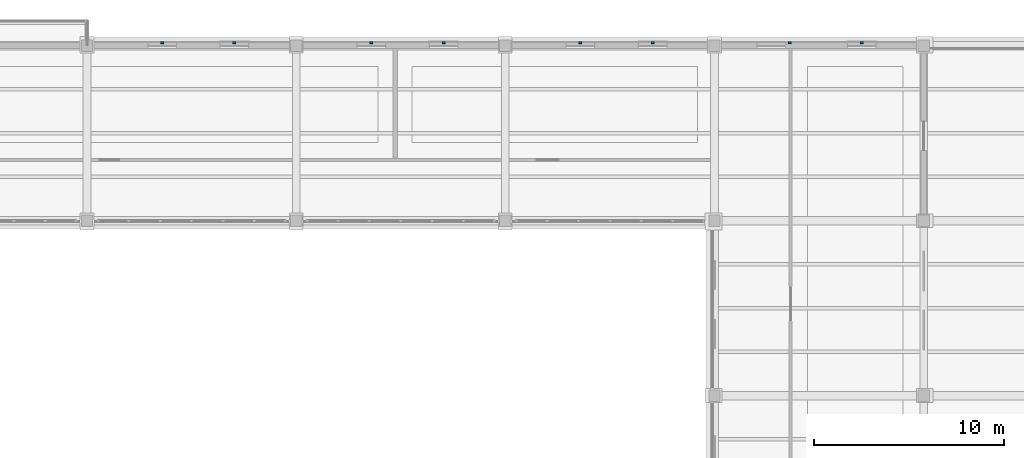
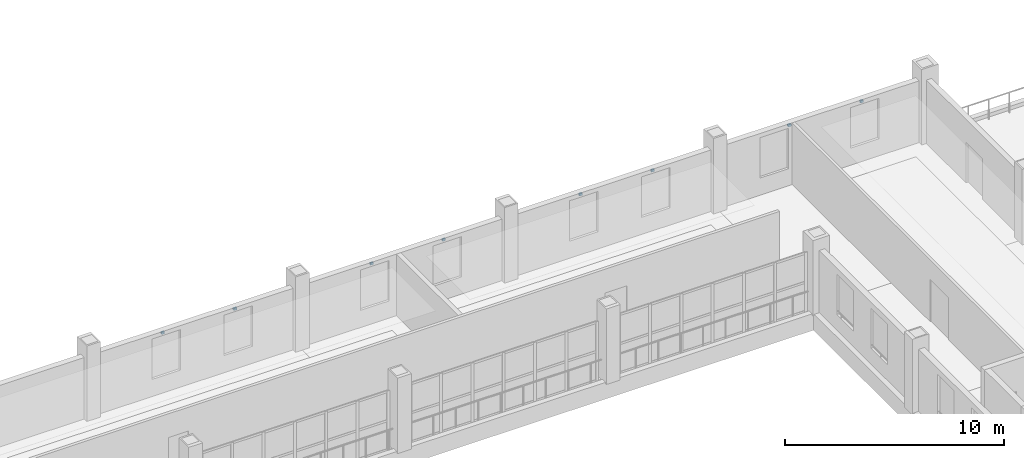
# One storey, part 103 of 120: 8 discrete accessories.
"""IFC4 building model written with IfcOpenShell, lengths in metres."""

from ifc_helpers import new_model, si_unit, direction, frame, origin, origin_2d, place, context, subcontext, project, spatial, rectangle, extrude, material, type_object, element, save


model = new_model("IFC4")

# Units and contexts
model_context = context("Model", 3, precision=1e-05, world=origin(), true_north=direction((0.0, 1.0)))
body_context = subcontext(model_context, "Body", "Model", "MODEL_VIEW")
ifc_project = project(units=[si_unit("LENGTHUNIT", "METRE"), si_unit("AREAUNIT", "SQUARE_METRE"), si_unit("VOLUMEUNIT", "CUBIC_METRE"), si_unit("PLANEANGLEUNIT", "RADIAN"), si_unit("MASSUNIT", "GRAM", prefix="KILO")], contexts=[model_context])

# Site, building, storey
site_placement = place(None, origin())
site = spatial("IfcSite", under=ifc_project, at=site_placement, CompositionType="ELEMENT")
building_placement = place(site_placement, origin())
building = spatial("IfcBuilding", under=site, at=building_placement, Name="Caurita Quay Ferry Terminal", CompositionType="ELEMENT")
storey_placement = place(building_placement, frame((0.0, 0.0, 9.89990234375)))
storey = spatial("IfcBuildingStorey", under=building, at=storey_placement, Name="L02", CompositionType="ELEMENT", Elevation=9.89990234375)

# Discrete accessories
ifc_material = material(Name="Structural plate steel ASTM A572 Gr. 50", Category="steel")
discrete_accessory_type = type_object("IfcDiscreteAccessoryType", Name="ACC-BRK-01", PredefinedType="BRACKET", material=ifc_material)
for number, where, z_axis, x_axis, name in (
    (1, (40.75, 117.155029296875, 3.06005859375), (0.0, 0.0, 1.0), (-1.0, 0.0, 0.0), "L02 Sun-Breaker Bracket 017"),
    (2, (36.949951171875, 117.155029296875, 3.06005859375), (0.0, 0.0, 1.0), (-1.0, 0.0, 0.0), "L02 Sun-Breaker Bracket 018"),
    (3, (51.75, 117.155029296875, 3.06005859375), (0.0, 0.0, 1.0), (-1.0, 0.0, 0.0), "L02 Sun-Breaker Bracket 019"),
    (4, (47.949951171875, 117.155029296875, 3.06005859375), (0.0, 0.0, 1.0), (-1.0, 0.0, 0.0), "L02 Sun-Breaker Bracket 020"),
    (5, (62.75, 117.155029296875, 3.06005859375), (0.0, 0.0, 1.0), (-1.0, 0.0, 0.0), "L02 Sun-Breaker Bracket 021"),
    (6, (58.949951171875, 117.155029296875, 3.06005859375), (0.0, 0.0, 1.0), (-1.0, 0.0, 0.0), "L02 Sun-Breaker Bracket 022"),
    (7, (73.75, 117.155029296875, 3.06005859375), (0.0, 0.0, 1.0), (-1.0, 0.0, 0.0), "L02 Sun-Breaker Bracket 023"),
    (8, (69.949951171875, 117.155029296875, 3.06005859375), (0.0, 0.0, 1.0), (-1.0, 0.0, 0.0), "L02 Sun-Breaker Bracket 024"),
):
    element("IfcDiscreteAccessory", number, at=place(storey_placement, frame(where, z_axis=z_axis, x_axis=x_axis)), inside=storey, type_object=discrete_accessory_type, Name=name, PredefinedType="BRACKET", context=body_context, shape_type="SweptSolid", body=[
        extrude(rectangle(XDim=0.159912109375, YDim=0.10009765625, at=origin_2d()), origin(), (0.0, 0.0, 1.0), 0.1201171875),
    ])

save(model, "model.ifc")
